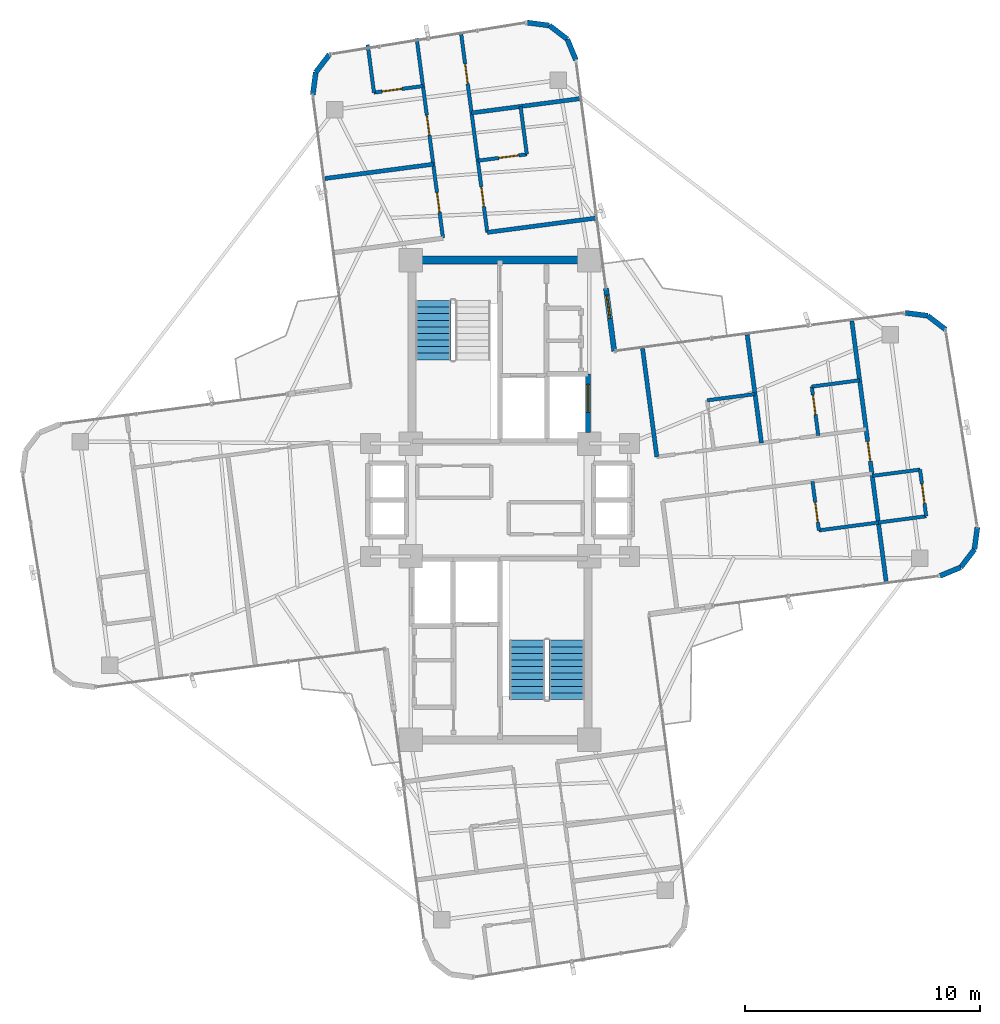
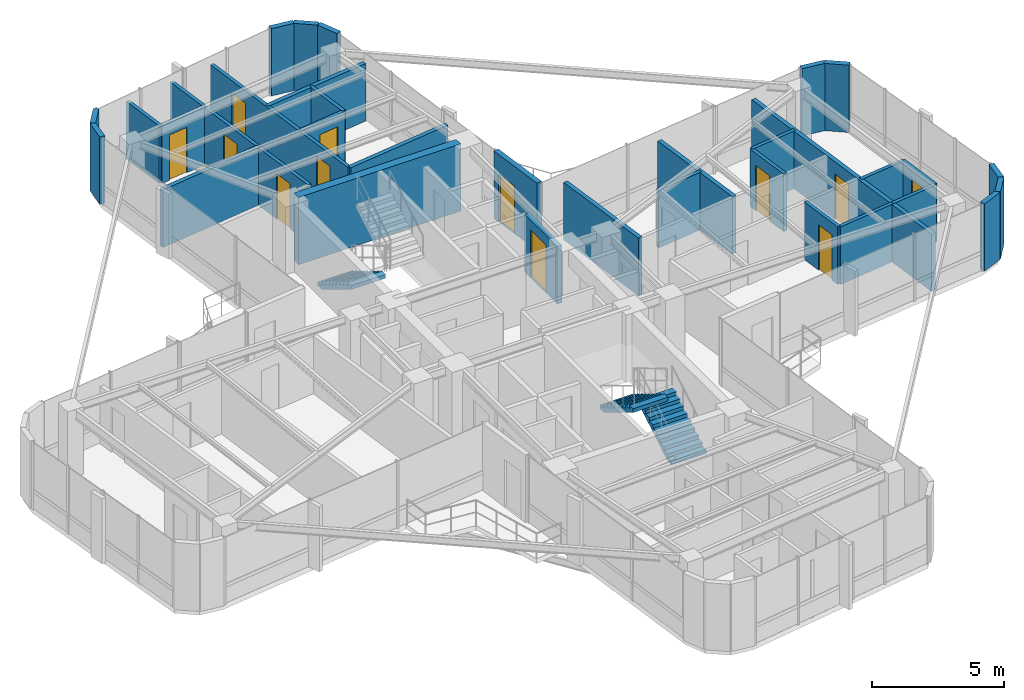
# One storey, part 20 of 22: 33 walls, 12 doors, 3 stair flights, 12 openings, 2 elements without a shape of their own.
"""IFC4 building model written with IfcOpenShell, lengths in metres."""

import ifcopenshell
import ifcopenshell.guid

model = None  # the IFC model being written
_history = None  # IfcOwnerHistory: only IFC2X3 demands one
_inside = {}  # id of a spatial element -> (the spatial element, [elements in it])
_under = {}  # id of a project, library or spatial element -> (it, [spatial elements below it])
_declared = {}  # id of a project -> (the project, [libraries it declares])
_typed = {}  # id of a type object -> (the type object, [elements of that type])
_made_of = {}  # id of a material, layer set ... -> (it, [elements and type objects made of it])


def new_model(schema):
    """Start an empty IFC model of exactly this schema.

    Asked for "IFC4X3", IfcOpenShell would pick the latest addendum, in which some entities
    have other attributes; the version numbers below select the first issue.
    IFC2X3 requires an IfcOwnerHistory on every rooted entity: one is made here for all.
    """
    global model, _history
    if schema == "IFC4X3":
        model = ifcopenshell.file(schema_version=(4, 3, 0, 0))
    else:
        model = ifcopenshell.file(schema=schema)
    _inside.clear()
    _under.clear()
    _declared.clear()
    _typed.clear()
    _made_of.clear()
    _history = None
    if model.schema == "IFC2X3":
        org = make("IfcOrganization", Name="unknown")
        user = make(
            "IfcPersonAndOrganization",
            ThePerson=make("IfcPerson", FamilyName="unknown"),
            TheOrganization=org,
        )
        app = make(
            "IfcApplication",
            ApplicationDeveloper=org,
            Version="unknown",
            ApplicationFullName="unknown",
            ApplicationIdentifier="unknown",
        )
        _history = make(
            "IfcOwnerHistory",
            OwningUser=user,
            OwningApplication=app,
            ChangeAction="ADDED",
            CreationDate=0,
        )
    return model


def make(cls, **values):
    """One entity of the class cls with the attributes given. An attribute that is None is left unset."""
    return model.create_entity(
        cls, **{name: value for name, value in values.items() if value is not None}
    )


def rooted(cls, **values):
    """An entity with a GlobalId (a new one), such as an element, a storey or a relation."""
    return make(cls, GlobalId=ifcopenshell.guid.new(), OwnerHistory=_history, **values)


def si_unit(unit_type, name, prefix=None):
    """IfcSIUnit, for example si_unit("LENGTHUNIT", "METRE", prefix="MILLI")."""
    return make("IfcSIUnit", UnitType=unit_type, Prefix=prefix, Name=name)


def assignment(units):
    """IfcUnitAssignment: the units of a project."""
    return None if units is None else make("IfcUnitAssignment", Units=units)


def point(xyz):
    """IfcCartesianPoint."""
    return None if xyz is None else make("IfcCartesianPoint", Coordinates=xyz)


def direction(xyz):
    """IfcDirection."""
    return None if xyz is None else make("IfcDirection", DirectionRatios=xyz)


def frame(location, z_axis=None, x_axis=None):
    """IfcAxis2Placement3D, a coordinate frame: its origin and axes. An axis left out is left unset."""
    return make(
        "IfcAxis2Placement3D",
        Location=point(location),
        Axis=direction(z_axis),
        RefDirection=direction(x_axis),
    )


def frame_2d(location, x_axis=None):
    """IfcAxis2Placement2D, a coordinate frame in the plane: its origin and x axis."""
    return make(
        "IfcAxis2Placement2D", Location=point(location), RefDirection=direction(x_axis)
    )


def origin():
    """The frame at (0, 0, 0) with its axes left unset."""
    return frame((0.0, 0.0, 0.0))


def origin_2d():
    """The frame at (0, 0) in the plane with its x axis left unset."""
    return frame_2d((0.0, 0.0))


def place(relative_to, where):
    """IfcLocalPlacement: puts the frame where relative to a parent placement (None: the world)."""
    return make(
        "IfcLocalPlacement", PlacementRelTo=relative_to, RelativePlacement=where
    )


def context(
    kind, dimensions, precision=None, world=None, true_north=None, identifier=None
):
    """IfcGeometricRepresentationContext, for example the 3D "Model" context."""
    return make(
        "IfcGeometricRepresentationContext",
        ContextIdentifier=identifier,
        ContextType=kind,
        CoordinateSpaceDimension=dimensions,
        Precision=precision,
        WorldCoordinateSystem=world,
        TrueNorth=true_north,
    )


def subcontext(parent, identifier, kind, view, scale=None):
    """IfcGeometricRepresentationSubContext, for example "Body" below "Model"."""
    return make(
        "IfcGeometricRepresentationSubContext",
        ContextIdentifier=identifier,
        ContextType=kind,
        ParentContext=parent,
        TargetScale=scale,
        TargetView=view,
    )


def project(units=None, contexts=None):
    """IfcProject with its units and contexts."""
    return rooted(
        "IfcProject",
        Name="project",
        RepresentationContexts=contexts,
        UnitsInContext=assignment(units),
    )


def spatial(cls, under=None, at=None, **own):
    """A site, building, storey or space (cls), placed at a placement, below another one or the project."""
    s = rooted(cls, ObjectPlacement=at, **own)
    if under is not None:
        _under.setdefault(under.id(), (under, []))[1].append(s)
    return s


def polyline(points):
    """IfcPolyline through the points."""
    return make("IfcPolyline", Points=[point(p) for p in points])


def profile(cls, at=None, kind="AREA", **sizes):
    """A parametric profile (cls). Its sizes go by their IFC names, for example OverallWidth=200.0."""
    return make(cls, ProfileType=kind, Position=at, **sizes)


def rectangle(**sizes):
    """IfcRectangleProfileDef."""
    return profile("IfcRectangleProfileDef", **sizes)


def outline(outer, holes=None, kind="AREA"):
    """IfcArbitraryClosedProfileDef: a profile drawn as a closed curve; with holes, ...WithVoids."""
    if holes is None:
        return make("IfcArbitraryClosedProfileDef", ProfileType=kind, OuterCurve=outer)
    return make(
        "IfcArbitraryProfileDefWithVoids",
        ProfileType=kind,
        OuterCurve=outer,
        InnerCurves=holes,
    )


def extrude(swept, where, along, depth):
    """IfcExtrudedAreaSolid: the profile swept, set in the frame where, extruded along a direction by depth."""
    return make(
        "IfcExtrudedAreaSolid",
        SweptArea=swept,
        Position=where,
        ExtrudedDirection=direction(along),
        Depth=depth,
    )


def shape(context_of_items, identifier, shape_type, items):
    """IfcShapeRepresentation: the items that make up one representation, for example the "Body"."""
    return make(
        "IfcShapeRepresentation",
        ContextOfItems=context_of_items,
        RepresentationIdentifier=identifier,
        RepresentationType=shape_type,
        Items=items,
    )


def source(mapping_origin, context_of_items, identifier, shape_type, items):
    """IfcRepresentationMap: a shape defined once, which mapped items show again and again."""
    return make(
        "IfcRepresentationMap",
        MappingOrigin=mapping_origin,
        MappedRepresentation=shape(context_of_items, identifier, shape_type, items),
    )


def transform(
    local_origin,
    x_axis=None,
    y_axis=None,
    z_axis=None,
    scale=None,
    scale2=None,
    scale3=None,
    uniform=True,
):
    """IfcCartesianTransformationOperator3D, or its non-uniform kind. x_axis, y_axis, z_axis: its Axis1, 2, 3."""
    if uniform:
        return make(
            "IfcCartesianTransformationOperator3D",
            Axis1=direction(x_axis),
            Axis2=direction(y_axis),
            LocalOrigin=point(local_origin),
            Scale=scale,
            Axis3=direction(z_axis),
        )
    return make(
        "IfcCartesianTransformationOperator3DnonUniform",
        Axis1=direction(x_axis),
        Axis2=direction(y_axis),
        LocalOrigin=point(local_origin),
        Scale=scale,
        Axis3=direction(z_axis),
        Scale2=scale2,
        Scale3=scale3,
    )


def mapped(mapping_source, mapping_target):
    """IfcMappedItem: shows the shape of a source again, moved by a transform."""
    return make(
        "IfcMappedItem", MappingSource=mapping_source, MappingTarget=mapping_target
    )


def material(Name=None, Category=None):
    """IfcMaterial."""
    return make("IfcMaterial", Name=Name, Category=Category)


def layer(
    of_material, thickness, ventilated=None, Name=None, Category=None, Priority=None
):
    """IfcMaterialLayer: one layer of a wall or slab, of a material (None: an air gap)."""
    return make(
        "IfcMaterialLayer",
        Material=of_material,
        LayerThickness=thickness,
        IsVentilated=ventilated,
        Name=Name,
        Category=Category,
        Priority=Priority,
    )


def layer_set(layers, Name=None):
    """IfcMaterialLayerSet."""
    return make("IfcMaterialLayerSet", MaterialLayers=layers, LayerSetName=Name)


def made_of(thing, what):
    """Note that an element or type object is made of a material, layer set ...; save() writes the relation."""
    if what is not None:
        _made_of.setdefault(what.id(), (what, []))[1].append(thing)
    return thing


def type_object(cls, material=None, **own):
    """A type object (cls), such as IfcWallType, which elements share."""
    return made_of(rooted(cls, **own), material)


def element(
    cls,
    number,
    at=None,
    inside=None,
    cuts=None,
    type_object=None,
    material=None,
    context=None,
    identifier="Body",
    shape_type=None,
    held_by="IfcProductDefinitionShape",
    body=None,
    shapes=None,
    **own,
):
    """One element of the class cls, such as IfcWall. Its Tag is "e" and its number.

    at: its placement. inside: the storey or other place that contains it. cuts: it is an
    opening in that element (IfcRelVoidsElement). A single representation is given by context,
    identifier, shape_type and body (its items); several are given by shapes. held_by: the class
    of the entity that holds the representations. save() writes the other relations.
    """
    e = rooted(cls, Tag="e%d" % number, ObjectPlacement=at, **own)
    if body is not None:
        shapes = [shape(context, identifier, shape_type, body)]
    if shapes is not None:
        e.Representation = make(held_by, Representations=shapes)
    if inside is not None:
        _inside.setdefault(inside.id(), (inside, []))[1].append(e)
    if cuts is not None:
        rooted(
            "IfcRelVoidsElement", RelatingBuildingElement=cuts, RelatedOpeningElement=e
        )
    if type_object is not None:
        _typed.setdefault(type_object.id(), (type_object, []))[1].append(e)
    return made_of(e, material)


def fill(opening, filler):
    """IfcRelFillsElement: the door or window that sits in an opening."""
    return rooted(
        "IfcRelFillsElement",
        RelatingOpeningElement=opening,
        RelatedBuildingElement=filler,
    )


def aggregate(whole, parts):
    """IfcRelAggregates: a whole, such as a stair, and the parts it consists of."""
    return rooted("IfcRelAggregates", RelatingObject=whole, RelatedObjects=parts)


def save(model, path):
    """Write the relations noted so far, then the file.

    IfcRelAggregates (storeys below a building ...), IfcRelContainedInSpatialStructure (elements
    in a storey), IfcRelDefinesByType, IfcRelAssociatesMaterial and IfcRelDeclares: one each for
    every whole, place, type object, material and project.
    """
    for whole, parts in _under.values():
        aggregate(whole, parts)
    for where, things in _inside.values():
        rooted(
            "IfcRelContainedInSpatialStructure",
            RelatedElements=things,
            RelatingStructure=where,
        )
    for kind, things in _typed.values():
        rooted("IfcRelDefinesByType", RelatedObjects=things, RelatingType=kind)
    for what, things in _made_of.values():
        rooted("IfcRelAssociatesMaterial", RelatedObjects=things, RelatingMaterial=what)
    for by, libraries in _declared.values():
        rooted("IfcRelDeclares", RelatingContext=by, RelatedDefinitions=libraries)
    model.write(path)


model = new_model("IFC4")

# Units and contexts
model_context = context("Model", 3, precision=1e-05, world=origin(), true_north=direction((0.0, 1.0)))
body_context = subcontext(model_context, "Body", "Model", "MODEL_VIEW")
ifc_project = project(units=[si_unit("LENGTHUNIT", "METRE"), si_unit("AREAUNIT", "SQUARE_METRE"), si_unit("VOLUMEUNIT", "CUBIC_METRE"), si_unit("PLANEANGLEUNIT", "RADIAN"), si_unit("MASSUNIT", "GRAM", prefix="KILO")], contexts=[model_context])

# Site, building, storey
site_placement = place(None, origin())
site = spatial("IfcSite", under=ifc_project, at=site_placement, CompositionType="ELEMENT")
building_placement = place(site_placement, origin())
building = spatial("IfcBuilding", under=site, at=building_placement, Name="Sahyath Konkavel Grand Hotel", CompositionType="ELEMENT")
storey_placement = place(building_placement, frame((0.0, 0.0, 223.25)))
storey = spatial("IfcBuildingStorey", under=building, at=storey_placement, Name="L62", CompositionType="ELEMENT", Elevation=223.25)

# Walls
ifc_material_1 = material(Name="Concrete C40/50", Category="concrete")
ifc_layer_1 = layer(ifc_material_1, 0.35009765625)
ifc_layer_set_1 = layer_set([ifc_layer_1], Name="Concrete C40/50")
wall_type_1 = type_object("IfcWallType", Name="CWALL-350", PredefinedType="SHEAR", material=ifc_layer_set_1)
wall_1_placement = place(storey_placement, frame((-3.550048828125, 10.199951171875, 0.0), z_axis=(0.0, 0.0, 1.0), x_axis=(1.0, 0.0, 0.0)))
element("IfcWall", 1, at=wall_1_placement, inside=storey, type_object=wall_type_1, Name="L62 North Core Shear Wall N", PredefinedType="SHEAR", context=body_context, shape_type="SweptSolid", body=[
    extrude(rectangle(XDim=7.10009765625, YDim=0.35009765625, at=frame_2d((3.550048828125, 0.0))), origin(), (0.0, 0.0, 1.0), 3.110107421875),
])
ifc_material_2 = material(Name="Warm Buff Sandstone Insulated Concrete C40/50", Category="masonry")
ifc_layer_2 = layer(ifc_material_2, 0.219970703125)
ifc_layer_set_2 = layer_set([ifc_layer_2], Name="Warm Buff Sandstone Insulated Concrete C40/50")
wall_type_2 = type_object("IfcWallType", Name="WLL-BALC-THRESH", PredefinedType="STANDARD", material=ifc_layer_set_2)
for number, where, z_axis, x_axis, name in (
    (2, (18.704345703125, -3.228271484375, 0.0), (0.0, 0.0, 1.0), (0.923889442397, 0.382659506909, 0.0), "L62 Rounded Corner Sandstone Pier 1"),
    (3, (19.589111328125, -2.86181640625, 0.0), (0.0, 0.0, 1.0), (0.608774010809, 0.793343685778, 0.0), "L62 Rounded Corner Sandstone Pier 2"),
    (4, (20.172119140625, -2.10205078125, 0.0), (0.0, 0.0, 1.0), (0.130527053476, 0.991444747987, 0.0), "L62 Rounded Corner Sandstone Pier 3"),
    (5, (18.940673828125, 7.251220703125, 0.0), (0.0, 0.0, 1.0), (-0.793343685778, 0.608774010809, 0.0), "L62 Rounded Corner Sandstone Pier 5"),
    (6, (18.180908203125, 7.834228515625, 0.0), (0.0, 0.0, 1.0), (-0.991444747987, 0.130527053476, 0.0), "L62 Rounded Corner Sandstone Pier 6"),
):
    element("IfcWall", number, at=place(storey_placement, frame(where, z_axis=z_axis, x_axis=x_axis)), inside=storey, type_object=wall_type_2, Name=name, PredefinedType="STANDARD", context=body_context, shape_type="SweptSolid", body=[
        extrude(rectangle(XDim=0.957763671875, YDim=0.219970703125, at=frame_2d((0.47900390625, 0.0))), origin(), (0.0, 0.0, 1.0), 3.110107421875),
    ])

# Wall, opening, door
wall_2_placement = place(storey_placement, frame((4.857421875, 6.330078125, 0.0), z_axis=(0.0, 0.0, 1.0), x_axis=(-0.130564442062, 0.991439824936, 0.0)))
wall_2 = element("IfcWall", 7, at=wall_2_placement, inside=storey, type_object=wall_type_2, Name="L62 Winter-Garden Threshold Wall 8", PredefinedType="STANDARD", context=body_context, shape_type="SweptSolid", body=[
    extrude(rectangle(XDim=2.7001953125, YDim=0.219970703125, at=frame_2d((1.35009765625, 0.0))), origin(), (0.0, 0.0, 1.0), 3.110107421875),
])
opening_1_placement = place(wall_2_placement, frame((1.39990234375, 0.0, 0.0)))
opening_1 = element("IfcOpeningElement", 8, at=opening_1_placement, cuts=wall_2, Name="Opening D-TR1", PredefinedType="OPENING", context=body_context, shape_type="SweptSolid", body=[
    extrude(rectangle(XDim=1.0, YDim=2.199951171875, at=frame_2d((0.5, 1.10009765625))), frame((0.0, 0.1201171875, 0.0), z_axis=(0.0, -1.0, 0.0), x_axis=(1.0, 0.0, 0.0)), (0.0, 0.0, 1.0), 0.239990234375),
])
ifc_material_3 = material(Name="Anodised Bronze Aluminium & Low-E Glazing", Category="aluminium")
door_type_1 = type_object("IfcDoorType", Name="DR-TERRACE-1000", OperationType="NOTDEFINED", PredefinedType="DOOR", material=ifc_material_3)
shared_shape_1 = source(origin(), body_context, "Body", "SweptSolid", [
    extrude(rectangle(XDim=1.0, YDim=0.050048828125, at=origin_2d()), origin(), (0.0, 0.0, 1.0), 2.199951171875),
])
door_1_placement = place(opening_1_placement, frame((0.5, 0.0, 0.0)))
door_1 = element("IfcDoor", 9, at=door_1_placement, inside=storey, type_object=door_type_1, Name="L62 Winter-Garden Terrace Door 8", OperationType="SINGLE_SWING_LEFT", OverallHeight=2.199951171875, OverallWidth=1.0, PredefinedType="DOOR", context=body_context, shape_type="MappedRepresentation", body=[
    mapped(shared_shape_1, transform((0.0, 0.0, 0.0), scale=1.0)),
])
fill(opening_1, door_1)

# Walls
for number, where, z_axis, x_axis, name in (
    (10, (3.228271484375, 18.704345703125, 0.0), (0.0, 0.0, 1.0), (-0.382659506909, 0.923889442397, 0.0), "L62 Rounded Corner Sandstone Pier 9"),
    (11, (2.86181640625, 19.589111328125, 0.0), (0.0, 0.0, 1.0), (-0.793343685778, 0.608774010809, 0.0), "L62 Rounded Corner Sandstone Pier 10"),
    (12, (2.10205078125, 20.172119140625, 0.0), (0.0, 0.0, 1.0), (-0.991444747987, 0.130527053476, 0.0), "L62 Rounded Corner Sandstone Pier 11"),
    (13, (-7.251220703125, 18.940673828125, 0.0), (0.0, 0.0, 1.0), (-0.608774010809, -0.793343685778, 0.0), "L62 Rounded Corner Sandstone Pier 13"),
    (14, (-7.834228515625, 18.180908203125, 0.0), (0.0, 0.0, 1.0), (-0.130527053476, -0.991444747987, 0.0), "L62 Rounded Corner Sandstone Pier 14"),
):
    element("IfcWall", number, at=place(storey_placement, frame(where, z_axis=z_axis, x_axis=x_axis)), inside=storey, type_object=wall_type_2, Name=name, PredefinedType="STANDARD", context=body_context, shape_type="SweptSolid", body=[
        extrude(rectangle(XDim=0.957763671875, YDim=0.219970703125, at=frame_2d((0.47900390625, 0.0))), origin(), (0.0, 0.0, 1.0), 3.110107421875),
    ])

# Wall, opening, door
ifc_layer_3 = layer(ifc_material_1, 0.199951171875)
ifc_layer_set_3 = layer_set([ifc_layer_3], Name="Concrete C40/50")
wall_type_3 = type_object("IfcWallType", Name="WLL-CORE-200", PredefinedType="SOLIDWALL", material=ifc_layer_set_3)
wall_3_placement = place(storey_placement, frame((3.739990234375, 2.8798828125, 0.0), z_axis=(0.0, 0.0, 1.0), x_axis=(0.0, 1.0, 0.0)))
wall_3 = element("IfcWall", 15, at=wall_3_placement, inside=storey, type_object=wall_type_3, Name="L62 Partition SH-SVL1-E", PredefinedType="SOLIDWALL", context=body_context, shape_type="SweptSolid", body=[
    extrude(rectangle(XDim=2.480224609375, YDim=0.199951171875, at=frame_2d((1.240234375, 0.0))), origin(), (0.0, 0.0, 1.0), 2.659912109375),
])
opening_2_placement = place(wall_3_placement, frame((0.840087890625, 0.0, 0.0)))
opening_2 = element("IfcOpeningElement", 16, at=opening_2_placement, cuts=wall_3, Name="Opening LD-12", PredefinedType="OPENING", context=body_context, shape_type="SweptSolid", body=[
    extrude(rectangle(XDim=1.199951171875, YDim=2.199951171875, at=frame_2d((0.60009765625, 1.10009765625))), frame((0.0, 0.10986328125, 0.0), z_axis=(0.0, -1.0, 0.0), x_axis=(1.0, 0.0, 0.0)), (0.0, 0.0, 1.0), 0.219970703125),
])
ifc_material_4 = material(Name="Stainless Steel Lift Landing Door 1200", Category="steel")
door_type_2 = type_object("IfcDoorType", Name="DR-LIFT-1200", OperationType="DOUBLE_DOOR_SLIDING", PredefinedType="DOOR", material=ifc_material_4)
shared_shape_2 = source(origin(), body_context, "Body", "SweptSolid", [
    extrude(rectangle(XDim=1.199951171875, YDim=0.050048828125, at=origin_2d()), origin(), (0.0, 0.0, 1.0), 2.199951171875),
])
door_2_placement = place(opening_2_placement, frame((0.60009765625, 0.0, 0.0)))
door_2 = element("IfcDoor", 17, at=door_2_placement, inside=storey, type_object=door_type_2, Name="L62 Service Lift SVL-1 Landing Door", OperationType="DOUBLE_DOOR_SLIDING", OverallHeight=2.199951171875, OverallWidth=1.199951171875, PredefinedType="DOOR", context=body_context, shape_type="MappedRepresentation", body=[
    mapped(shared_shape_2, transform((0.0, 0.0, 0.0), scale=1.0)),
])
fill(opening_2, door_2)

# Walls
ifc_material_5 = material(Name="Twin-Stud Acoustic Gypsum Plasterboard Partition")
ifc_layer_4 = layer(ifc_material_5, 0.179931640625)
ifc_layer_set_4 = layer_set([ifc_layer_4], Name="Twin-Stud Acoustic Gypsum Plasterboard Partition")
wall_type_4 = type_object("IfcWallType", Name="WLL-DEMISE-180", PredefinedType="PARTITIONING", material=ifc_layer_set_4)
for number, where, z_axis, x_axis, name in (
    (18, (6.66748046875, 1.8359375, 0.0), (0.0, 0.0, 1.0), (-0.130537501998, 0.991443372348, 0.0), "L62 Partition E-INL"),
    (19, (11.115966796875, 2.421630859375, 0.0), (0.0, 0.0, 1.0), (-0.130537501998, 0.991443372348, 0.0), "L62 Partition E-E4L1-DEM"),
):
    element("IfcWall", number, at=place(storey_placement, frame(where, z_axis=z_axis, x_axis=x_axis)), inside=storey, type_object=wall_type_4, Name=name, PredefinedType="PARTITIONING", context=body_context, shape_type="SweptSolid", body=[
        extrude(rectangle(XDim=4.64208984375, YDim=0.179931640625, at=frame_2d((2.321044921875, 0.0))), origin(), (0.0, 0.0, 1.0), 2.659912109375),
    ])

# Wall, opening, door
wall_4_placement = place(storey_placement, frame((16.41748046875, -3.478759765625, 0.0), z_axis=(0.0, 0.0, 1.0), x_axis=(-0.13051775653, 0.991445971917, 0.0)))
wall_4 = element("IfcWall", 20, at=wall_4_placement, inside=storey, type_object=wall_type_4, Name="L62 Partition E-ETIP-END", PredefinedType="PARTITIONING", context=body_context, shape_type="SweptSolid", body=[
    extrude(rectangle(XDim=11.18408203125, YDim=0.179931640625, at=frame_2d((5.592041015625, 0.0))), origin(), (0.0, 0.0, 1.0), 2.659912109375),
])
opening_3_placement = place(wall_4_placement, frame((5.1669921875, 0.0, 0.0)))
opening_3 = element("IfcOpeningElement", 21, at=opening_3_placement, cuts=wall_4, Name="Opening D-F06D", PredefinedType="OPENING", context=body_context, shape_type="SweptSolid", body=[
    extrude(rectangle(XDim=0.85009765625, YDim=2.10009765625, at=frame_2d((0.425048828125, 1.050048828125))), frame((0.0, 0.10009765625, 0.0), z_axis=(0.0, -1.0, 0.0), x_axis=(1.0, 0.0, 0.0)), (0.0, 0.0, 1.0), 0.199951171875),
])
ifc_material_6 = material(Name="Fire-Rated Shaft Access Door")
door_type_3 = type_object("IfcDoorType", Name="DR-FD60-850", OperationType="NOTDEFINED", PredefinedType="DOOR", material=ifc_material_6)
shared_shape_3 = source(origin(), body_context, "Body", "SweptSolid", [
    extrude(rectangle(XDim=0.85009765625, YDim=0.050048828125, at=origin_2d()), origin(), (0.0, 0.0, 1.0), 2.10009765625),
])
door_3_placement = place(opening_3_placement, frame((0.425048828125, 0.0, 0.0)))
door_3 = element("IfcDoor", 22, at=door_3_placement, inside=storey, type_object=door_type_3, Name="L62 Door E-ETIP-ED", OperationType="SINGLE_SWING_LEFT", OverallHeight=2.10009765625, OverallWidth=0.85009765625, PredefinedType="DOOR", context=body_context, shape_type="MappedRepresentation", body=[
    mapped(shared_shape_3, transform((0.0, 0.0, 0.0), scale=1.0)),
])
fill(opening_3, door_3)

# Walls
for number, where, z_axis, x_axis, name in (
    (23, (4.062744140625, 11.98291015625, 0.0), (0.0, 0.0, 1.0), (-0.991443372348, -0.130537501998, 0.0), "L62 Partition N-INR"),
    (24, (-2.83740234375, 14.273681640625, 0.0), (0.0, 0.0, 1.0), (-0.991450177748, -0.130485803989, 0.0), "L62 Partition N-N1L-DEM"),
    (25, (-1.208251953125, 16.4560546875, 0.0), (0.0, 0.0, 1.0), (0.991443372348, 0.130537501998, 0.0), "L62 Partition N-N1R-DEM"),
):
    element("IfcWall", number, at=place(storey_placement, frame(where, z_axis=z_axis, x_axis=x_axis)), inside=storey, type_object=wall_type_4, Name=name, PredefinedType="PARTITIONING", context=body_context, shape_type="SweptSolid", body=[
        extrude(rectangle(XDim=4.64208984375, YDim=0.179931640625, at=frame_2d((2.321044921875, 0.0))), origin(), (0.0, 0.0, 1.0), 2.659912109375),
    ])
ifc_material_7 = material(Name="Fire-Rated Gypsum Plasterboard Partition")
ifc_layer_5 = layer(ifc_material_7, 0.14990234375)
ifc_layer_set_5 = layer_set([ifc_layer_5], Name="Fire-Rated Gypsum Plasterboard Partition")
wall_type_5 = type_object("IfcWallType", Name="WLL-PART-150", PredefinedType="PARTITIONING", material=ifc_layer_set_5)
wall_5_placement = place(storey_placement, frame((8.809326171875, 4.236083984375, 0.0), z_axis=(0.0, 0.0, 1.0), x_axis=(0.991444969909, 0.13052536781, 0.0)))
element("IfcWall", 26, at=wall_5_placement, inside=storey, type_object=wall_type_5, Name="L62 Partition E-E4L1-BF", PredefinedType="PARTITIONING", context=body_context, shape_type="SweptSolid", body=[
    extrude(rectangle(XDim=2.050048828125, YDim=0.14990234375, at=frame_2d((1.02490234375, 0.0))), origin(), (0.0, 0.0, 1.0), 2.659912109375),
])

# Wall, opening, door
wall_6_placement = place(storey_placement, frame((13.53125, 2.739501953125, 0.0), z_axis=(0.0, 0.0, 1.0), x_axis=(-0.130556761174, 0.991440836415, 0.0)))
wall_6 = element("IfcWall", 27, at=wall_6_placement, inside=storey, type_object=wall_type_5, Name="L62 Partition E-E4L2-BS", PredefinedType="PARTITIONING", context=body_context, shape_type="SweptSolid", body=[
    extrude(rectangle(XDim=2.10009765625, YDim=0.14990234375, at=frame_2d((1.050048828125, 0.0))), origin(), (0.0, 0.0, 1.0), 2.659912109375),
])
opening_4_placement = place(wall_6_placement, frame((0.89990234375, 0.0, 0.0)))
opening_4 = element("IfcOpeningElement", 28, at=opening_4_placement, cuts=wall_6, Name="Opening D-BT85", PredefinedType="OPENING", context=body_context, shape_type="SweptSolid", body=[
    extrude(rectangle(XDim=0.85009765625, YDim=2.10009765625, at=frame_2d((0.425048828125, 1.050048828125))), frame((0.0, 0.0849609375, 0.0), z_axis=(0.0, -1.0, 0.0), x_axis=(1.0, 0.0, 0.0)), (0.0, 0.0, 1.0), 0.169921875),
])
ifc_material_8 = material(Name="Moisture-Resistant Teak Bathroom Door")
door_type_4 = type_object("IfcDoorType", Name="DR-BATH-850", OperationType="NOTDEFINED", PredefinedType="DOOR", material=ifc_material_8)
door_4_placement = place(opening_4_placement, frame((0.425048828125, 0.0, 0.0)))
door_4 = element("IfcDoor", 29, at=door_4_placement, inside=storey, type_object=door_type_4, Name="L62 Door E-E4L2-BD", OperationType="SINGLE_SWING_RIGHT", OverallHeight=2.10009765625, OverallWidth=0.85009765625, PredefinedType="DOOR", context=body_context, shape_type="MappedRepresentation", body=[
    mapped(shared_shape_3, transform((0.0, 0.0, 0.0), scale=1.0)),
])
fill(opening_4, door_4)

# Wall
wall_7_placement = place(storey_placement, frame((13.257080078125, 4.821533203125, 0.0), z_axis=(0.0, 0.0, 1.0), x_axis=(0.991444969909, 0.13052536781, 0.0)))
element("IfcWall", 30, at=wall_7_placement, inside=storey, type_object=wall_type_5, Name="L62 Partition E-E4L2-BF", PredefinedType="PARTITIONING", context=body_context, shape_type="SweptSolid", body=[
    extrude(rectangle(XDim=2.050048828125, YDim=0.14990234375, at=frame_2d((1.02490234375, 0.0))), origin(), (0.0, 0.0, 1.0), 2.659912109375),
])

# Wall, opening, door
wall_8_placement = place(storey_placement, frame((13.283447265625, 0.79052734375, 0.0), z_axis=(0.0, 0.0, 1.0), x_axis=(0.130556761174, -0.991440836415, 0.0)))
wall_8 = element("IfcWall", 31, at=wall_8_placement, inside=storey, type_object=wall_type_5, Name="L62 Partition E-E4R1-BS", PredefinedType="PARTITIONING", context=body_context, shape_type="SweptSolid", body=[
    extrude(rectangle(XDim=2.10009765625, YDim=0.14990234375, at=frame_2d((1.050048828125, 0.0))), origin(), (0.0, 0.0, 1.0), 2.659912109375),
])
opening_5_placement = place(wall_8_placement, frame((0.89990234375, 0.0, 0.0)))
opening_5 = element("IfcOpeningElement", 32, at=opening_5_placement, cuts=wall_8, Name="Opening D-BT85", PredefinedType="OPENING", context=body_context, shape_type="SweptSolid", body=[
    extrude(rectangle(XDim=0.85009765625, YDim=2.10009765625, at=frame_2d((0.425048828125, 1.050048828125))), frame((0.0, 0.0849609375, 0.0), z_axis=(0.0, -1.0, 0.0), x_axis=(1.0, 0.0, 0.0)), (0.0, 0.0, 1.0), 0.169921875),
])
door_5_placement = place(opening_5_placement, frame((0.425048828125, 0.0, 0.0)))
door_5 = element("IfcDoor", 33, at=door_5_placement, inside=storey, type_object=door_type_4, Name="L62 Door E-E4R1-BD", OperationType="SINGLE_SWING_RIGHT", OverallHeight=2.10009765625, OverallWidth=0.85009765625, PredefinedType="DOOR", context=body_context, shape_type="MappedRepresentation", body=[
    mapped(shared_shape_3, transform((0.0, 0.0, 0.0), scale=1.0)),
])
fill(opening_5, door_5)

# Walls
wall_9_placement = place(storey_placement, frame((13.5576171875, -1.29150390625, 0.0), z_axis=(0.0, 0.0, 1.0), x_axis=(0.99143571012, 0.130595684076, 0.0)))
element("IfcWall", 34, at=wall_9_placement, inside=storey, type_object=wall_type_5, Name="L62 Partition E-E4R1-BF", PredefinedType="PARTITIONING", context=body_context, shape_type="SweptSolid", body=[
    extrude(rectangle(XDim=2.5498046875, YDim=0.14990234375, at=frame_2d((1.27490234375, 0.0))), origin(), (0.0, 0.0, 1.0), 2.659912109375),
])
for number, where, z_axis, x_axis, name in (
    (35, (15.82470703125, 1.0244140625, 0.0), (0.0, 0.0, 1.0), (0.991444969909, 0.13052536781, 0.0), "L62 Partition E-ETIP-BN"),
    (36, (16.085693359375, -0.95849609375, 0.0), (0.0, 0.0, 1.0), (0.991444969909, 0.13052536781, 0.0), "L62 Partition E-ETIP-BS"),
):
    element("IfcWall", number, at=place(storey_placement, frame(where, z_axis=z_axis, x_axis=x_axis)), inside=storey, type_object=wall_type_5, Name=name, PredefinedType="PARTITIONING", context=body_context, shape_type="SweptSolid", body=[
        extrude(rectangle(XDim=2.050048828125, YDim=0.14990234375, at=frame_2d((1.02490234375, 0.0))), origin(), (0.0, 0.0, 1.0), 2.659912109375),
    ])

# Wall, opening, door
wall_10_placement = place(storey_placement, frame((18.1181640625, -0.69091796875, 0.0), z_axis=(0.0, 0.0, 1.0), x_axis=(-0.130492404742, 0.991449308994, 0.0)))
wall_10 = element("IfcWall", 37, at=wall_10_placement, inside=storey, type_object=wall_type_5, Name="L62 Partition E-ETIP-BE", PredefinedType="PARTITIONING", context=body_context, shape_type="SweptSolid", body=[
    extrude(rectangle(XDim=2.0, YDim=0.14990234375, at=frame_2d((1.0, 0.0))), origin(), (0.0, 0.0, 1.0), 2.659912109375),
])
opening_6_placement = place(wall_10_placement, frame((0.550048828125, 0.0, 0.0)))
opening_6 = element("IfcOpeningElement", 38, at=opening_6_placement, cuts=wall_10, Name="Opening D-BT85", PredefinedType="OPENING", context=body_context, shape_type="SweptSolid", body=[
    extrude(rectangle(XDim=0.85009765625, YDim=2.10009765625, at=frame_2d((0.425048828125, 1.050048828125))), frame((0.0, 0.0849609375, 0.0), z_axis=(0.0, -1.0, 0.0), x_axis=(1.0, 0.0, 0.0)), (0.0, 0.0, 1.0), 0.169921875),
])
door_6_placement = place(opening_6_placement, frame((0.425048828125, 0.0, 0.0)))
door_6 = element("IfcDoor", 39, at=door_6_placement, inside=storey, type_object=door_type_4, Name="L62 Door E-ETIP-BD", OperationType="SINGLE_SWING_RIGHT", OverallHeight=2.10009765625, OverallWidth=0.85009765625, PredefinedType="DOOR", context=body_context, shape_type="MappedRepresentation", body=[
    mapped(shared_shape_3, transform((0.0, 0.0, 0.0), scale=1.0)),
])
fill(opening_6, door_6)

# Wall, openings, doors
wall_11_placement = place(storey_placement, frame((-2.42333984375, 11.12890625, 0.0), z_axis=(0.0, 0.0, 1.0), x_axis=(-0.130512708173, 0.991446636489, 0.0)))
wall_11 = element("IfcWall", 40, at=wall_11_placement, inside=storey, type_object=wall_type_5, Name="L62 Partition N-CL", PredefinedType="PARTITIONING", context=body_context, shape_type="SweptSolid", body=[
    extrude(rectangle(XDim=8.572998046875, YDim=0.14990234375, at=frame_2d((4.28662109375, 0.0))), origin(), (0.0, 0.0, 1.0), 2.659912109375),
])
opening_7_placement = place(wall_11_placement, frame((1.111083984375, 0.0, 0.0)))
opening_7 = element("IfcOpeningElement", 41, at=opening_7_placement, cuts=wall_11, Name="Opening D-F06D", PredefinedType="OPENING", context=body_context, shape_type="SweptSolid", body=[
    extrude(rectangle(XDim=0.85009765625, YDim=2.10009765625, at=frame_2d((0.425048828125, 1.050048828125))), frame((0.0, 0.0849609375, 0.0), z_axis=(0.0, -1.0, 0.0), x_axis=(1.0, 0.0, 0.0)), (0.0, 0.0, 1.0), 0.169921875),
])
opening_8_placement = place(wall_11_placement, frame((4.423095703125, 0.0, 0.0)))
opening_8 = element("IfcOpeningElement", 42, at=opening_8_placement, cuts=wall_11, Name="Opening D-F06D", PredefinedType="OPENING", context=body_context, shape_type="SweptSolid", body=[
    extrude(rectangle(XDim=0.85009765625, YDim=2.10009765625, at=frame_2d((0.425048828125, 1.050048828125))), frame((0.0, 0.0849609375, 0.0), z_axis=(0.0, -1.0, 0.0), x_axis=(1.0, 0.0, 0.0)), (0.0, 0.0, 1.0), 0.169921875),
])
door_7_placement = place(opening_7_placement, frame((0.425048828125, 0.0, 0.0)))
door_7 = element("IfcDoor", 43, at=door_7_placement, inside=storey, type_object=door_type_3, Name="L62 Door N-N1L-D", OperationType="SINGLE_SWING_RIGHT", OverallHeight=2.10009765625, OverallWidth=0.85009765625, PredefinedType="DOOR", context=body_context, shape_type="MappedRepresentation", body=[
    mapped(shared_shape_3, transform((0.0, 0.0, 0.0), scale=1.0)),
])
fill(opening_7, door_7)
door_8_placement = place(opening_8_placement, frame((0.425048828125, 0.0, 0.0)))
door_8 = element("IfcDoor", 44, at=door_8_placement, inside=storey, type_object=door_type_3, Name="L62 Door N-N2L-ED", OperationType="SINGLE_SWING_RIGHT", OverallHeight=2.10009765625, OverallWidth=0.85009765625, PredefinedType="DOOR", context=body_context, shape_type="MappedRepresentation", body=[
    mapped(shared_shape_3, transform((0.0, 0.0, 0.0), scale=1.0)),
])
fill(opening_8, door_8)

wall_12_placement = place(storey_placement, frame((-0.53955078125, 11.376953125, 0.0), z_axis=(0.0, 0.0, 1.0), x_axis=(-0.130540700513, 0.991442951213, 0.0)))
wall_12 = element("IfcWall", 45, at=wall_12_placement, inside=storey, type_object=wall_type_5, Name="L62 Partition N-CR", PredefinedType="PARTITIONING", context=body_context, shape_type="SweptSolid", body=[
    extrude(rectangle(XDim=8.572998046875, YDim=0.14990234375, at=frame_2d((4.28662109375, 0.0))), origin(), (0.0, 0.0, 1.0), 2.659912109375),
])
opening_9_placement = place(wall_12_placement, frame((1.112060546875, 0.0, 0.0)))
opening_9 = element("IfcOpeningElement", 46, at=opening_9_placement, cuts=wall_12, Name="Opening D-F06D", PredefinedType="OPENING", context=body_context, shape_type="SweptSolid", body=[
    extrude(rectangle(XDim=0.85009765625, YDim=2.10009765625, at=frame_2d((0.425048828125, 1.050048828125))), frame((0.0, 0.0849609375, 0.0), z_axis=(0.0, -1.0, 0.0), x_axis=(1.0, 0.0, 0.0)), (0.0, 0.0, 1.0), 0.169921875),
])
opening_10_placement = place(wall_12_placement, frame((6.373046875, 0.0, 0.0)))
opening_10 = element("IfcOpeningElement", 47, at=opening_10_placement, cuts=wall_12, Name="Opening D-F06D", PredefinedType="OPENING", context=body_context, shape_type="SweptSolid", body=[
    extrude(rectangle(XDim=0.85009765625, YDim=2.10009765625, at=frame_2d((0.425048828125, 1.050048828125))), frame((0.0, 0.0849609375, 0.0), z_axis=(0.0, -1.0, 0.0), x_axis=(1.0, 0.0, 0.0)), (0.0, 0.0, 1.0), 0.169921875),
])
door_9_placement = place(opening_9_placement, frame((0.425048828125, 0.0, 0.0)))
door_9 = element("IfcDoor", 48, at=door_9_placement, inside=storey, type_object=door_type_3, Name="L62 Door N-N1R-ED", OperationType="SINGLE_SWING_RIGHT", OverallHeight=2.10009765625, OverallWidth=0.85009765625, PredefinedType="DOOR", context=body_context, shape_type="MappedRepresentation", body=[
    mapped(shared_shape_3, transform((0.0, 0.0, 0.0), scale=1.0)),
])
fill(opening_9, door_9)
door_10_placement = place(opening_10_placement, frame((0.425048828125, 0.0, 0.0)))
door_10 = element("IfcDoor", 49, at=door_10_placement, inside=storey, type_object=door_type_3, Name="L62 Door N-N2R-D", OperationType="SINGLE_SWING_LEFT", OverallHeight=2.10009765625, OverallWidth=0.85009765625, PredefinedType="DOOR", context=body_context, shape_type="MappedRepresentation", body=[
    mapped(shared_shape_3, transform((0.0, 0.0, 0.0), scale=1.0)),
])
fill(opening_10, door_10)

# Wall, opening, door
wall_13_placement = place(storey_placement, frame((-3.27490234375, 17.59619140625, 0.0), z_axis=(0.0, 0.0, 1.0), x_axis=(-0.991438854462, -0.130571811136, 0.0)))
wall_13 = element("IfcWall", 50, at=wall_13_placement, inside=storey, type_object=wall_type_5, Name="L62 Partition N-N2L-BS", PredefinedType="PARTITIONING", context=body_context, shape_type="SweptSolid", body=[
    extrude(rectangle(XDim=2.099853515625, YDim=0.14990234375, at=frame_2d((1.0498046875, 0.0))), origin(), (0.0, 0.0, 1.0), 2.659912109375),
])
opening_11_placement = place(wall_13_placement, frame((0.89990234375, 0.0, 0.0)))
opening_11 = element("IfcOpeningElement", 51, at=opening_11_placement, cuts=wall_13, Name="Opening D-BT85", PredefinedType="OPENING", context=body_context, shape_type="SweptSolid", body=[
    extrude(rectangle(XDim=0.85009765625, YDim=2.10009765625, at=frame_2d((0.425048828125, 1.050048828125))), frame((0.0, 0.0849609375, 0.0), z_axis=(0.0, -1.0, 0.0), x_axis=(1.0, 0.0, 0.0)), (0.0, 0.0, 1.0), 0.169921875),
])
door_11_placement = place(opening_11_placement, frame((0.425048828125, 0.0, 0.0)))
door_11 = element("IfcDoor", 52, at=door_11_placement, inside=storey, type_object=door_type_4, Name="L62 Door N-N2L-BD", OperationType="SINGLE_SWING_LEFT", OverallHeight=2.10009765625, OverallWidth=0.85009765625, PredefinedType="DOOR", context=body_context, shape_type="MappedRepresentation", body=[
    mapped(shared_shape_3, transform((0.0, 0.0, 0.0), scale=1.0)),
])
fill(opening_11, door_11)

# Wall
wall_14_placement = place(storey_placement, frame((-5.356689453125, 17.322021484375, 0.0), z_axis=(0.0, 0.0, 1.0), x_axis=(-0.130642428605, 0.991429551631, 0.0)))
element("IfcWall", 53, at=wall_14_placement, inside=storey, type_object=wall_type_5, Name="L62 Partition N-N2L-BF", PredefinedType="PARTITIONING", context=body_context, shape_type="SweptSolid", body=[
    extrude(rectangle(XDim=2.050048828125, YDim=0.14990234375, at=frame_2d((1.02490234375, 0.0))), origin(), (0.0, 0.0, 1.0), 2.659912109375),
])

# Wall, opening, door
wall_15_placement = place(storey_placement, frame((-0.940673828125, 14.423583984375, 0.0), z_axis=(0.0, 0.0, 1.0), x_axis=(0.991440836415, 0.130556761174, 0.0)))
wall_15 = element("IfcWall", 54, at=wall_15_placement, inside=storey, type_object=wall_type_5, Name="L62 Partition N-N1R-BS", PredefinedType="PARTITIONING", context=body_context, shape_type="SweptSolid", body=[
    extrude(rectangle(XDim=2.10009765625, YDim=0.14990234375, at=frame_2d((1.050048828125, 0.0))), origin(), (0.0, 0.0, 1.0), 2.659912109375),
])
opening_12_placement = place(wall_15_placement, frame((0.89990234375, 0.0, 0.0)))
opening_12 = element("IfcOpeningElement", 55, at=opening_12_placement, cuts=wall_15, Name="Opening D-BT85", PredefinedType="OPENING", context=body_context, shape_type="SweptSolid", body=[
    extrude(rectangle(XDim=0.85009765625, YDim=2.10009765625, at=frame_2d((0.425048828125, 1.050048828125))), frame((0.0, 0.0849609375, 0.0), z_axis=(0.0, -1.0, 0.0), x_axis=(1.0, 0.0, 0.0)), (0.0, 0.0, 1.0), 0.169921875),
])
door_12_placement = place(opening_12_placement, frame((0.425048828125, 0.0, 0.0)))
door_12 = element("IfcDoor", 56, at=door_12_placement, inside=storey, type_object=door_type_4, Name="L62 Door N-N1R-BD", OperationType="SINGLE_SWING_LEFT", OverallHeight=2.10009765625, OverallWidth=0.85009765625, PredefinedType="DOOR", context=body_context, shape_type="MappedRepresentation", body=[
    mapped(shared_shape_3, transform((0.0, 0.0, 0.0), scale=1.0)),
])
fill(opening_12, door_12)

# Wall
wall_16_placement = place(storey_placement, frame((1.141357421875, 14.69775390625, 0.0), z_axis=(0.0, 0.0, 1.0), x_axis=(-0.13052536781, 0.991444969909, 0.0)))
element("IfcWall", 57, at=wall_16_placement, inside=storey, type_object=wall_type_5, Name="L62 Partition N-N1R-BF", PredefinedType="PARTITIONING", context=body_context, shape_type="SweptSolid", body=[
    extrude(rectangle(XDim=2.050048828125, YDim=0.14990234375, at=frame_2d((1.02490234375, 0.0))), origin(), (0.0, 0.0, 1.0), 2.659912109375),
])

# Stair, stair flight
stair_type = type_object("IfcStairType", Name="STR-ST16-335", PredefinedType="HALF_TURN_STAIR", material=ifc_material_1)
stair_1_placement = place(storey_placement, origin())
stair_1 = element("IfcStair", 58, at=stair_1_placement, inside=storey, type_object=stair_type, Name="L62 North Core Smokeproof Exit Stair ST-1", PredefinedType="HALF_TURN_STAIR")
stair_flight_type = type_object("IfcStairFlightType", Name="STF-ST16-335", PredefinedType="STRAIGHT", material=ifc_material_1)
stair_flight_1_placement = place(storey_placement, frame((-2.840087890625, 8.47998046875, 0.0), z_axis=(0.0, 0.0, 1.0), x_axis=(0.0, -1.0, 0.0)))
stair_flight_1 = element("IfcStairFlight", 59, at=stair_flight_1_placement, type_object=stair_flight_type, Name="ST-1 flight 1", NumberOfRisers=10, NumberOfTreads=9, PredefinedType="STRAIGHT", RiserHeight=0.1675, TreadLength=0.28, context=body_context, shape_type="SweptSolid", body=[
    extrude(outline(polyline([(0.0, 0.0), (0.0, 0.16748046875), (0.280029296875, 0.16748046875), (0.280029296875, 0.3349609375), (0.56005859375, 0.3349609375), (0.56005859375, 0.50244140625), (0.840087890625, 0.50244140625), (0.840087890625, 0.669921875), (1.1201171875, 0.669921875), (1.1201171875, 0.83740234375), (1.39990234375, 0.83740234375), (1.39990234375, 1.0048828125), (1.679931640625, 1.0048828125), (1.679931640625, 1.172607421875), (1.9599609375, 1.172607421875), (1.9599609375, 1.340087890625), (2.239990234375, 1.340087890625), (2.239990234375, 1.507568359375), (2.52001953125, 1.507568359375), (2.52001953125, 1.675048828125), (2.52001953125, 1.332763671875), (0.2919921875, 0.0), (0.0, 0.0)])), frame((0.0, 0.760009765625, 0.0), z_axis=(0.0, -1.0, 0.0), x_axis=(1.0, 0.0, 0.0)), (0.0, 0.0, 1.0), 1.52001953125),
])
aggregate(stair_1, [stair_flight_1])

# Stair, stair flights
stair_2_placement = place(storey_placement, origin())
stair_2 = element("IfcStair", 60, at=stair_2_placement, inside=storey, type_object=stair_type, Name="L62 South Core Smokeproof Exit Stair ST-2", PredefinedType="HALF_TURN_STAIR")
stair_flight_2_placement = place(storey_placement, frame((2.840087890625, -8.47998046875, 0.0), z_axis=(0.0, 0.0, 1.0), x_axis=(0.0, 1.0, 0.0)))
stair_flight_2 = element("IfcStairFlight", 61, at=stair_flight_2_placement, type_object=stair_flight_type, Name="ST-2 flight 1", NumberOfRisers=10, NumberOfTreads=9, PredefinedType="STRAIGHT", RiserHeight=0.1675, TreadLength=0.28, context=body_context, shape_type="SweptSolid", body=[
    extrude(outline(polyline([(0.0, 0.0), (0.0, 0.16748046875), (0.280029296875, 0.16748046875), (0.280029296875, 0.3349609375), (0.56005859375, 0.3349609375), (0.56005859375, 0.50244140625), (0.840087890625, 0.50244140625), (0.840087890625, 0.669921875), (1.1201171875, 0.669921875), (1.1201171875, 0.83740234375), (1.39990234375, 0.83740234375), (1.39990234375, 1.0048828125), (1.679931640625, 1.0048828125), (1.679931640625, 1.172607421875), (1.9599609375, 1.172607421875), (1.9599609375, 1.340087890625), (2.239990234375, 1.340087890625), (2.239990234375, 1.507568359375), (2.52001953125, 1.507568359375), (2.52001953125, 1.675048828125), (2.52001953125, 1.332763671875), (0.2919921875, 0.0), (0.0, 0.0)])), frame((0.0, 0.760009765625, 0.0), z_axis=(0.0, -1.0, 0.0), x_axis=(1.0, 0.0, 0.0)), (0.0, 0.0, 1.0), 1.52001953125),
])
stair_flight_3_placement = place(storey_placement, frame((1.159912109375, -5.9599609375, 1.675048828125), z_axis=(0.0, 0.0, 1.0), x_axis=(0.0, -1.0, 0.0)))
stair_flight_3 = element("IfcStairFlight", 62, at=stair_flight_3_placement, type_object=stair_flight_type, Name="ST-2 flight 2", NumberOfRisers=10, NumberOfTreads=9, PredefinedType="STRAIGHT", RiserHeight=0.1675, TreadLength=0.28, context=body_context, shape_type="SweptSolid", body=[
    extrude(outline(polyline([(0.0, 0.0), (0.0, 0.16748046875), (0.280029296875, 0.16748046875), (0.280029296875, 0.3349609375), (0.56005859375, 0.3349609375), (0.56005859375, 0.50244140625), (0.840087890625, 0.50244140625), (0.840087890625, 0.669921875), (1.1201171875, 0.669921875), (1.1201171875, 0.83740234375), (1.39990234375, 0.83740234375), (1.39990234375, 1.0048828125), (1.679931640625, 1.0048828125), (1.679931640625, 1.172607421875), (1.9599609375, 1.172607421875), (1.9599609375, 1.340087890625), (2.239990234375, 1.340087890625), (2.239990234375, 1.507568359375), (2.52001953125, 1.507568359375), (2.52001953125, 1.675048828125), (2.52001953125, 1.332763671875), (0.2919921875, 0.0), (0.0, 0.0)])), frame((0.0, 0.760009765625, 0.0), z_axis=(0.0, -1.0, 0.0), x_axis=(1.0, 0.0, 0.0)), (0.0, 0.0, 1.0), 1.52001953125),
])
aggregate(stair_2, [stair_flight_2, stair_flight_3])

save(model, "model.ifc")
